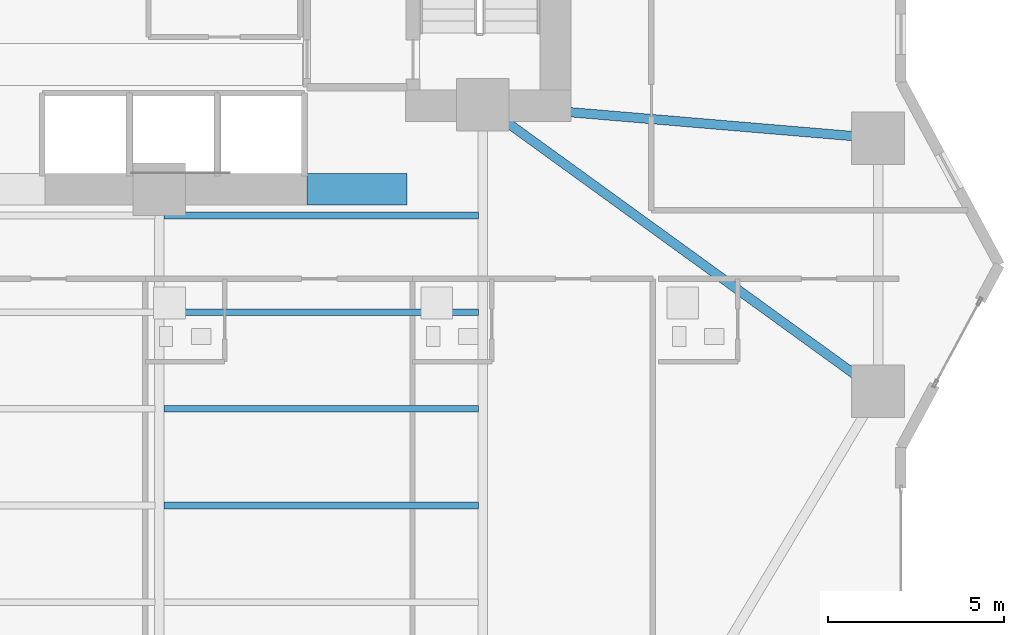
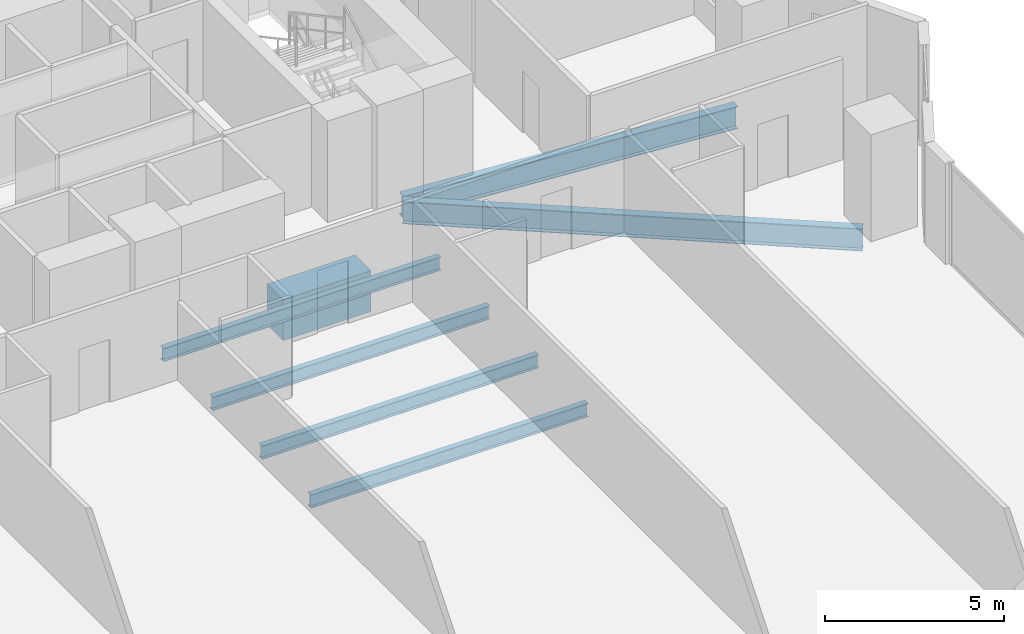
# One storey, part 11 of 28: 7 beams.
"""IFC4 building model written with IfcOpenShell, lengths in metres."""

from ifc_helpers import new_model, si_unit, direction, frame, origin, origin_2d, place, context, subcontext, project, spatial, rectangle, i_section, extrude, material, material_profile, profile_set, type_object, element, save


model = new_model("IFC4")

# Units and contexts
model_context = context("Model", 3, precision=1e-05, world=origin(), true_north=direction((0.0, 1.0)))
body_context = subcontext(model_context, "Body", "Model", "MODEL_VIEW")
ifc_project = project(units=[si_unit("LENGTHUNIT", "METRE"), si_unit("AREAUNIT", "SQUARE_METRE"), si_unit("VOLUMEUNIT", "CUBIC_METRE"), si_unit("PLANEANGLEUNIT", "RADIAN"), si_unit("MASSUNIT", "GRAM", prefix="KILO")], contexts=[model_context])

# Site, building, storey
site_placement = place(None, origin())
site = spatial("IfcSite", under=ifc_project, at=site_placement, CompositionType="ELEMENT")
building_placement = place(site_placement, origin())
building = spatial("IfcBuilding", under=site, at=building_placement, Name="Zuhayl Quay Hotel", CompositionType="ELEMENT")
storey_placement = place(building_placement, frame((0.0, 0.0, 56.800048828125)))
storey = spatial("IfcBuildingStorey", under=building, at=storey_placement, Name="L13", CompositionType="ELEMENT", Elevation=56.800048828125)

# Beams
ifc_material_1 = material(Name="Steel ASTM A992 Grade 50", Category="steel")
ifc_material_profile_1 = material_profile(ifc_material_1, i_section(OverallWidth=0.26708984375, OverallDepth=0.761962890625, WebThickness=0.014404296875, FlangeThickness=0.021484375, at=origin_2d()), Name="W30X116")
ifc_profile_set_1 = profile_set([ifc_material_profile_1], Name="Steel ASTM A992 Grade 50")
beam_type_1 = type_object("IfcBeamType", Name="BM_B1_W30X116", PredefinedType="BEAM", material=ifc_profile_set_1)
beam_1_placement = place(storey_placement, frame((14.164306640625, 4.285888671875, -0.60107421875), z_axis=(0.809830244688, -0.586664277751, 0.0), x_axis=(0.586664277751, 0.809830244688, 0.0)))
element("IfcBeam", 1, at=beam_1_placement, inside=storey, type_object=beam_type_1, Name="L13 Floor Beam FG_E_L13_1", PredefinedType="BEAM", context=body_context, shape_type="SweptSolid", body=[
    extrude(i_section(OverallWidth=0.26708984375, OverallDepth=0.761962890625, WebThickness=0.014404296875, FlangeThickness=0.021484375, at=origin_2d()), origin(), (0.0, 0.0, 1.0), 12.94189453125),
])
beam_2_placement = place(storey_placement, frame((14.248291015625, 4.51220703125, -0.60107421875), z_axis=(0.996453145398, -0.084149444594, 0.0), x_axis=(0.084149444594, 0.996453145398, 0.0)))
element("IfcBeam", 2, at=beam_2_placement, inside=storey, type_object=beam_type_1, Name="L13 Floor Beam FG_E_L13_2", PredefinedType="BEAM", context=body_context, shape_type="SweptSolid", body=[
    extrude(i_section(OverallWidth=0.26708984375, OverallDepth=0.761962890625, WebThickness=0.014404296875, FlangeThickness=0.021484375, at=origin_2d()), origin(), (0.0, 0.0, 1.0), 10.340087890625),
])
ifc_material_2 = material(Name="Concrete C60/75", Category="concrete")
ifc_material_profile_2 = material_profile(ifc_material_2, rectangle(XDim=0.89990234375, YDim=1.39990234375, at=origin_2d()), Name="RC900X1400")
ifc_profile_set_2 = profile_set([ifc_material_profile_2], Name="Concrete C60/75")
beam_type_2 = type_object("IfcBeamType", Name="BM_CB1_RC900", PredefinedType="T_BEAM", material=ifc_profile_set_2)
beam_3_placement = place(storey_placement, frame((8.800048828125, 2.14990234375, -0.920166015625), z_axis=(1.0, 0.0, 0.0), x_axis=(0.0, 1.0, 0.0)))
element("IfcBeam", 3, at=beam_3_placement, inside=storey, type_object=beam_type_2, Name="L13 Core Coupling Beam SE", PredefinedType="T_BEAM", context=body_context, shape_type="SweptSolid", body=[
    extrude(rectangle(XDim=0.89990234375, YDim=1.39990234375, at=origin_2d()), origin(), (0.0, 0.0, 1.0), 2.849853515625),
])
ifc_material_profile_3 = material_profile(ifc_material_1, i_section(OverallWidth=0.18994140625, OverallDepth=0.45703125, WebThickness=0.009033203125, FlangeThickness=0.014404296875, at=origin_2d()), Name="W18X50")
ifc_profile_set_3 = profile_set([ifc_material_profile_3], Name="Steel ASTM A992 Grade 50")
beam_type_3 = type_object("IfcBeamType", Name="BM_J2_W18X50", PredefinedType="JOIST", material=ifc_profile_set_3)
for number, where, z_axis, x_axis, name in (
    (4, (4.7255859375, -6.85009765625, -0.448486328125), (1.0, 0.0, 0.0), (0.0, 1.0, 0.0), "L13 Floor Beam FJ_L13_7_3"),
    (5, (4.7255859375, -4.10009765625, -0.448486328125), (1.0, 0.0, 0.0), (0.0, 1.0, 0.0), "L13 Floor Beam FJ_L13_8_3"),
    (6, (4.7255859375, -1.35009765625, -0.448486328125), (1.0, 0.0, 0.0), (0.0, 1.0, 0.0), "L13 Floor Beam FJ_L13_9_3"),
    (7, (4.7255859375, 1.39990234375, -0.448486328125), (1.0, 0.0, 0.0), (0.0, 1.0, 0.0), "L13 Floor Beam FJ_L13_10_3"),
):
    element("IfcBeam", number, at=place(storey_placement, frame(where, z_axis=z_axis, x_axis=x_axis)), inside=storey, type_object=beam_type_3, Name=name, PredefinedType="JOIST", context=body_context, shape_type="SweptSolid", body=[
        extrude(i_section(OverallWidth=0.18994140625, OverallDepth=0.45703125, WebThickness=0.009033203125, FlangeThickness=0.014404296875, at=origin_2d()), origin(), (0.0, 0.0, 1.0), 8.948974609375),
    ])

save(model, "model.ifc")
